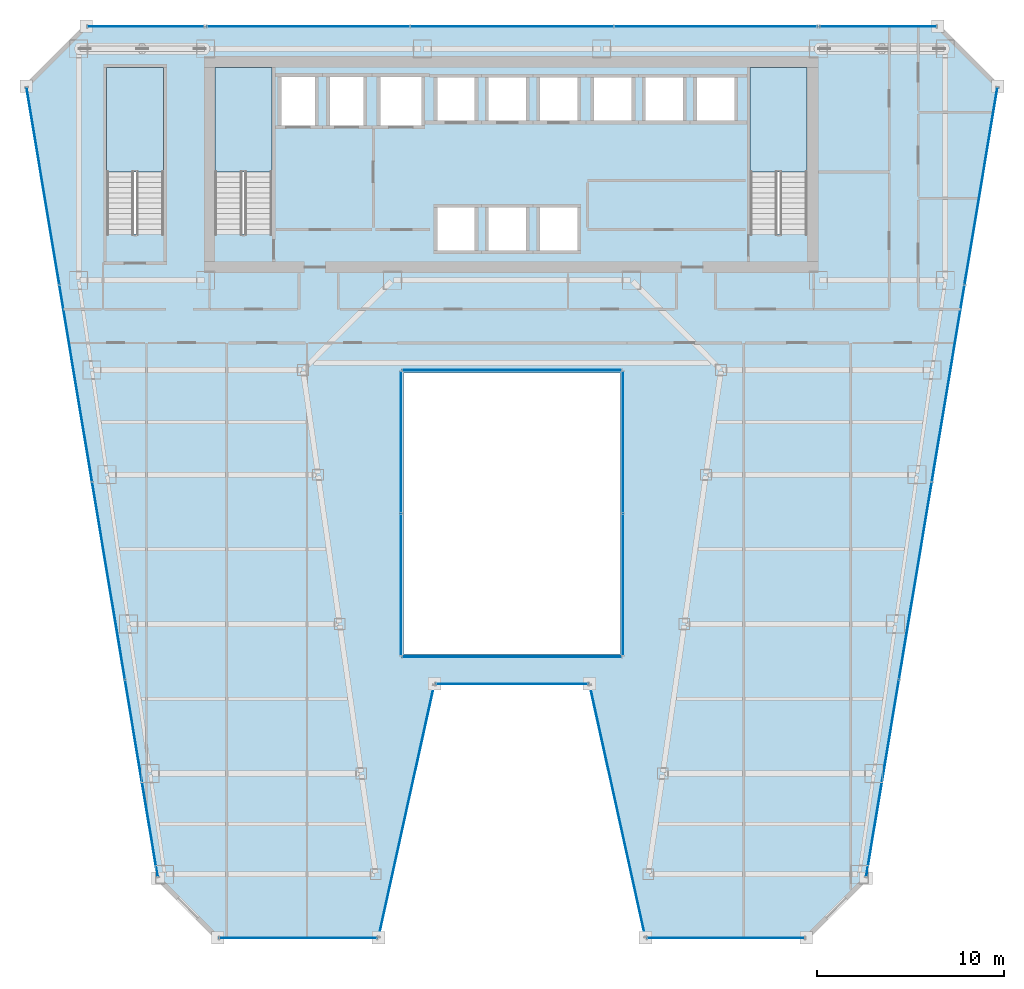
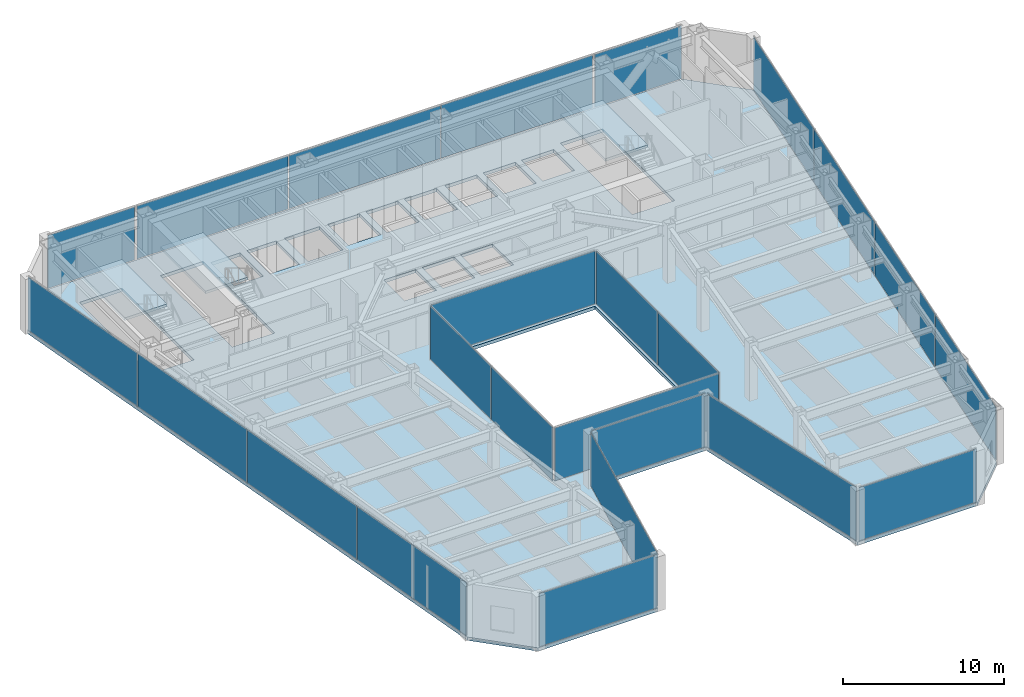
# One storey, part 30 of 37: 24 plates, 4 slabs, 17 elements without a shape of their own.
"""IFC4 building model written with IfcOpenShell, lengths in metres."""

from ifc_helpers import new_model, si_unit, direction, frame, origin, origin_2d, place, context, subcontext, project, spatial, polyline, rectangle, outline, extrude, material, layer, layer_set, type_object, element, aggregate, save


model = new_model("IFC4")

# Units and contexts
model_context = context("Model", 3, precision=1e-05, world=origin(), true_north=direction((0.0, 1.0)))
body_context = subcontext(model_context, "Body", "Model", "MODEL_VIEW")
ifc_project = project(units=[si_unit("LENGTHUNIT", "METRE"), si_unit("AREAUNIT", "SQUARE_METRE"), si_unit("VOLUMEUNIT", "CUBIC_METRE"), si_unit("PLANEANGLEUNIT", "RADIAN"), si_unit("MASSUNIT", "GRAM", prefix="KILO")], contexts=[model_context])

# Site, building, storey
site_placement = place(None, origin())
site = spatial("IfcSite", under=ifc_project, at=site_placement, CompositionType="ELEMENT")
building_placement = place(site_placement, origin())
building = spatial("IfcBuilding", under=site, at=building_placement, Name="Saevonmaru Cultural Tower", CompositionType="ELEMENT")
storey_placement = place(building_placement, frame((0.0, 0.0, 114.800048828125)))
storey = spatial("IfcBuildingStorey", under=building, at=storey_placement, Name="L24", CompositionType="ELEMENT", Elevation=114.800048828125)

# Curtain wall, plate
ifc_material_1 = material(Name="Satin Bronze Anodised Aluminium", Category="aluminium")
curtain_wall_type_1 = type_object("IfcCurtainWallType", Name="CW-ATR-GLZ", PredefinedType="NOTDEFINED", material=ifc_material_1)
curtain_wall_1_placement = place(storey_placement, origin())
curtain_wall_1 = element("IfcCurtainWall", 1, at=curtain_wall_1_placement, inside=storey, type_object=curtain_wall_type_1, Name="L24 Vertical Atrium Glazed Smoke Screen 1", PredefinedType="NOTDEFINED")
ifc_material_2 = material(Name="Fire-Rated Laminated Atrium Glass", Category="glass")
ifc_layer_1 = layer(ifc_material_2, 0.031982421875, Name="Fire-Rated Laminated Atrium Glass")
ifc_layer_set_1 = layer_set([ifc_layer_1], Name="Fire-Rated Laminated Atrium Glass")
plate_type_1 = type_object("IfcPlateType", Name="PN-GLZ-ATR-INT", PredefinedType="CURTAIN_PANEL", material=ifc_layer_set_1)
plate_1_placement = place(storey_placement, frame((30.0, 22.25, 0.06689453125), z_axis=(0.0, 0.0, 1.0), x_axis=(1.0, 0.0, 0.0)))
plate_1 = element("IfcPlate", 2, at=plate_1_placement, type_object=plate_type_1, Name="CW-ATR-L24-1 panel 1.1", PredefinedType="CURTAIN_PANEL", context=body_context, shape_type="SweptSolid", body=[
    extrude(rectangle(XDim=11.7109375, YDim=0.031982421875, at=origin_2d()), origin(), (0.0, 0.0, 1.0), 4.01611328125),
])
aggregate(curtain_wall_1, [plate_1])

# Curtain wall, plates
curtain_wall_2_placement = place(storey_placement, origin())
curtain_wall_2 = element("IfcCurtainWall", 3, at=curtain_wall_2_placement, inside=storey, type_object=curtain_wall_type_1, Name="L24 Vertical Atrium Glazed Smoke Screen 2", PredefinedType="NOTDEFINED")
plate_2_placement = place(storey_placement, frame((35.949951171875, 26.114990234375, 0.06689453125), z_axis=(0.0, 0.0, 1.0), x_axis=(0.0, 1.0, 0.0)))
plate_2 = element("IfcPlate", 4, at=plate_2_placement, type_object=plate_type_1, Name="CW-ATR-L24-2 panel 1.1", PredefinedType="CURTAIN_PANEL", context=body_context, shape_type="SweptSolid", body=[
    extrude(rectangle(XDim=7.541015625, YDim=0.031982421875, at=origin_2d()), origin(), (0.0, 0.0, 1.0), 4.01611328125),
])
plate_3_placement = place(storey_placement, frame((35.949951171875, 33.72509765625, 0.06689453125), z_axis=(0.0, 0.0, 1.0), x_axis=(0.0, 1.0, 0.0)))
plate_3 = element("IfcPlate", 5, at=plate_3_placement, type_object=plate_type_1, Name="CW-ATR-L24-2 panel 2.1", PredefinedType="CURTAIN_PANEL", context=body_context, shape_type="SweptSolid", body=[
    extrude(rectangle(XDim=7.541015625, YDim=0.031982421875, at=origin_2d()), origin(), (0.0, 0.0, 1.0), 4.01611328125),
])
aggregate(curtain_wall_2, [plate_2, plate_3])

# Curtain wall, plate
curtain_wall_3_placement = place(storey_placement, origin())
curtain_wall_3 = element("IfcCurtainWall", 6, at=curtain_wall_3_placement, inside=storey, type_object=curtain_wall_type_1, Name="L24 Vertical Atrium Glazed Smoke Screen 3", PredefinedType="NOTDEFINED")
plate_4_placement = place(storey_placement, frame((30.0, 37.590087890625, 0.06689453125), z_axis=(0.0, 0.0, 1.0), x_axis=(-1.0, 0.0, 0.0)))
plate_4 = element("IfcPlate", 7, at=plate_4_placement, type_object=plate_type_1, Name="CW-ATR-L24-3 panel 1.1", PredefinedType="CURTAIN_PANEL", context=body_context, shape_type="SweptSolid", body=[
    extrude(rectangle(XDim=11.7109375, YDim=0.031982421875, at=origin_2d()), origin(), (0.0, 0.0, 1.0), 4.01611328125),
])
aggregate(curtain_wall_3, [plate_4])

# Curtain wall, plates
curtain_wall_4_placement = place(storey_placement, origin())
curtain_wall_4 = element("IfcCurtainWall", 8, at=curtain_wall_4_placement, inside=storey, type_object=curtain_wall_type_1, Name="L24 Vertical Atrium Glazed Smoke Screen 4", PredefinedType="NOTDEFINED")
plate_5_placement = place(storey_placement, frame((24.050048828125, 33.72509765625, 0.06689453125), z_axis=(0.0, 0.0, 1.0), x_axis=(0.0, -1.0, 0.0)))
plate_5 = element("IfcPlate", 9, at=plate_5_placement, type_object=plate_type_1, Name="CW-ATR-L24-4 panel 1.1", PredefinedType="CURTAIN_PANEL", context=body_context, shape_type="SweptSolid", body=[
    extrude(rectangle(XDim=7.541015625, YDim=0.031982421875, at=origin_2d()), origin(), (0.0, 0.0, 1.0), 4.01611328125),
])
plate_6_placement = place(storey_placement, frame((24.050048828125, 26.114990234375, 0.06689453125), z_axis=(0.0, 0.0, 1.0), x_axis=(0.0, -1.0, 0.0)))
plate_6 = element("IfcPlate", 10, at=plate_6_placement, type_object=plate_type_1, Name="CW-ATR-L24-4 panel 2.1", PredefinedType="CURTAIN_PANEL", context=body_context, shape_type="SweptSolid", body=[
    extrude(rectangle(XDim=7.541015625, YDim=0.031982421875, at=origin_2d()), origin(), (0.0, 0.0, 1.0), 4.01611328125),
])
aggregate(curtain_wall_4, [plate_5, plate_6])

# Curtain wall, plate
curtain_wall_type_2 = type_object("IfcCurtainWallType", Name="CW-TYP-A", PredefinedType="NOTDEFINED", material=ifc_material_1)
curtain_wall_5_placement = place(storey_placement, origin())
curtain_wall_5 = element("IfcCurtainWall", 11, at=curtain_wall_5_placement, inside=storey, type_object=curtain_wall_type_2, Name="L24 Unitised Curtain Wall E2", PredefinedType="NOTDEFINED")
ifc_material_3 = material(Name="Triple Silver Low-E Insulating Glass", Category="glass")
ifc_layer_2 = layer(ifc_material_3, 0.035888671875, Name="Triple Silver Low-E Insulating Glass")
ifc_layer_set_2 = layer_set([ifc_layer_2], Name="Triple Silver Low-E Insulating Glass")
plate_type_2 = type_object("IfcPlateType", Name="PN-GLZ-IGU", PredefinedType="CURTAIN_PANEL", material=ifc_layer_set_2)
plate_7_placement = place(storey_placement, frame((18.548828125, 7.199951171875, 0.06689453125), z_axis=(0.0, 0.0, 1.0), x_axis=(1.0, 0.0, 0.0)))
plate_7 = element("IfcPlate", 12, at=plate_7_placement, type_object=plate_type_2, Name="CW-TW-L24-E2 panel 1.1", PredefinedType="CURTAIN_PANEL", context=body_context, shape_type="SweptSolid", body=[
    extrude(rectangle(XDim=8.410888671875, YDim=0.035888671875, at=origin_2d()), origin(), (0.0, 0.0, 1.0), 4.01611328125),
])
aggregate(curtain_wall_5, [plate_7])

curtain_wall_6_placement = place(storey_placement, origin())
curtain_wall_6 = element("IfcCurtainWall", 13, at=curtain_wall_6_placement, inside=storey, type_object=curtain_wall_type_2, Name="L24 Unitised Curtain Wall E3", PredefinedType="NOTDEFINED")
plate_8_placement = place(storey_placement, frame((24.348876953125, 14.0, 0.06689453125), z_axis=(0.0, 0.0, 1.0), x_axis=(0.215413319953, 0.976522965212, 0.0)))
plate_8 = element("IfcPlate", 14, at=plate_8_placement, type_object=plate_type_2, Name="CW-TW-L24-E3 panel 1.1", PredefinedType="CURTAIN_PANEL", context=body_context, shape_type="SweptSolid", body=[
    extrude(rectangle(XDim=13.738037109375, YDim=0.035888671875, at=origin_2d()), origin(), (0.0, 0.0, 1.0), 4.01611328125),
])
aggregate(curtain_wall_6, [plate_8])

curtain_wall_7_placement = place(storey_placement, origin())
curtain_wall_7 = element("IfcCurtainWall", 15, at=curtain_wall_7_placement, inside=storey, type_object=curtain_wall_type_2, Name="L24 Unitised Curtain Wall E4", PredefinedType="NOTDEFINED")
plate_9_placement = place(storey_placement, frame((30.0, 20.800048828125, 0.06689453125), z_axis=(0.0, 0.0, 1.0), x_axis=(1.0, 0.0, 0.0)))
plate_9 = element("IfcPlate", 16, at=plate_9_placement, type_object=plate_type_2, Name="CW-TW-L24-E4 panel 1.1", PredefinedType="CURTAIN_PANEL", context=body_context, shape_type="SweptSolid", body=[
    extrude(rectangle(XDim=8.11328125, YDim=0.035888671875, at=origin_2d()), origin(), (0.0, 0.0, 1.0), 4.01611328125),
])
aggregate(curtain_wall_7, [plate_9])

curtain_wall_8_placement = place(storey_placement, origin())
curtain_wall_8 = element("IfcCurtainWall", 17, at=curtain_wall_8_placement, inside=storey, type_object=curtain_wall_type_2, Name="L24 Unitised Curtain Wall E5", PredefinedType="NOTDEFINED")
plate_10_placement = place(storey_placement, frame((35.651123046875, 14.0, 0.06689453125), z_axis=(0.0, 0.0, 1.0), x_axis=(0.215413319953, -0.976522965212, 0.0)))
plate_10 = element("IfcPlate", 18, at=plate_10_placement, type_object=plate_type_2, Name="CW-TW-L24-E5 panel 1.1", PredefinedType="CURTAIN_PANEL", context=body_context, shape_type="SweptSolid", body=[
    extrude(rectangle(XDim=13.738037109375, YDim=0.035888671875, at=origin_2d()), origin(), (0.0, 0.0, 1.0), 4.01611328125),
])
aggregate(curtain_wall_8, [plate_10])

curtain_wall_9_placement = place(storey_placement, origin())
curtain_wall_9 = element("IfcCurtainWall", 19, at=curtain_wall_9_placement, inside=storey, type_object=curtain_wall_type_2, Name="L24 Unitised Curtain Wall E6", PredefinedType="NOTDEFINED")
plate_11_placement = place(storey_placement, frame((41.451171875, 7.199951171875, 0.06689453125), z_axis=(0.0, 0.0, 1.0), x_axis=(1.0, 0.0, 0.0)))
plate_11 = element("IfcPlate", 20, at=plate_11_placement, type_object=plate_type_2, Name="CW-TW-L24-E6 panel 1.1", PredefinedType="CURTAIN_PANEL", context=body_context, shape_type="SweptSolid", body=[
    extrude(rectangle(XDim=8.410888671875, YDim=0.035888671875, at=origin_2d()), origin(), (0.0, 0.0, 1.0), 4.01611328125),
])
aggregate(curtain_wall_9, [plate_11])

# Curtain wall, plates
curtain_wall_10_placement = place(storey_placement, origin())
curtain_wall_10 = element("IfcCurtainWall", 21, at=curtain_wall_10_placement, inside=storey, type_object=curtain_wall_type_2, Name="L24 Unitised Curtain Wall E8", PredefinedType="NOTDEFINED")
plate_12_placement = place(storey_placement, frame((49.839599609375, 15.744384765625, 0.06689453125), z_axis=(0.0, 0.0, 1.0), x_axis=(0.163998702345, 0.986460554523, 0.0)))
plate_12 = element("IfcPlate", 22, at=plate_12_placement, type_object=plate_type_2, Name="CW-TW-L24-E8 panel 1.1", PredefinedType="CURTAIN_PANEL", context=body_context, shape_type="SweptSolid", body=[
    extrude(rectangle(XDim=10.646484375, YDim=0.035888671875, at=origin_2d()), origin(), (0.0, 0.0, 1.0), 4.01611328125),
])
plate_13_placement = place(storey_placement, frame((51.596923828125, 26.314697265625, 0.06689453125), z_axis=(0.0, 0.0, 1.0), x_axis=(0.163998702345, 0.986460554523, 0.0)))
plate_13 = element("IfcPlate", 23, at=plate_13_placement, type_object=plate_type_2, Name="CW-TW-L24-E8 panel 2.1", PredefinedType="CURTAIN_PANEL", context=body_context, shape_type="SweptSolid", body=[
    extrude(rectangle(XDim=10.646484375, YDim=0.035888671875, at=origin_2d()), origin(), (0.0, 0.0, 1.0), 4.01611328125),
])
plate_14_placement = place(storey_placement, frame((53.354248046875, 36.88525390625, 0.06689453125), z_axis=(0.0, 0.0, 1.0), x_axis=(0.163998702345, 0.986460554523, 0.0)))
plate_14 = element("IfcPlate", 24, at=plate_14_placement, type_object=plate_type_2, Name="CW-TW-L24-E8 panel 3.1", PredefinedType="CURTAIN_PANEL", context=body_context, shape_type="SweptSolid", body=[
    extrude(rectangle(XDim=10.646484375, YDim=0.035888671875, at=origin_2d()), origin(), (0.0, 0.0, 1.0), 4.01611328125),
])
plate_15_placement = place(storey_placement, frame((55.111572265625, 47.45556640625, 0.06689453125), z_axis=(0.0, 0.0, 1.0), x_axis=(0.163998702345, 0.986460554523, 0.0)))
plate_15 = element("IfcPlate", 25, at=plate_15_placement, type_object=plate_type_2, Name="CW-TW-L24-E8 panel 4.1", PredefinedType="CURTAIN_PANEL", context=body_context, shape_type="SweptSolid", body=[
    extrude(rectangle(XDim=10.646484375, YDim=0.035888671875, at=origin_2d()), origin(), (0.0, 0.0, 1.0), 4.01611328125),
])
aggregate(curtain_wall_10, [plate_12, plate_13, plate_14, plate_15])

curtain_wall_11_placement = place(storey_placement, origin())
curtain_wall_11 = element("IfcCurtainWall", 26, at=curtain_wall_11_placement, inside=storey, type_object=curtain_wall_type_2, Name="L24 North Spine Unitised Curtain Wall E10B", PredefinedType="NOTDEFINED")
plate_16_placement = place(storey_placement, frame((40.893310546875, 56.0, 0.06689453125), z_axis=(0.0, 0.0, 1.0), x_axis=(-1.0, 0.0, 0.0)))
plate_16 = element("IfcPlate", 27, at=plate_16_placement, type_object=plate_type_2, Name="CW-TW-L24-E10B panel 1.1", PredefinedType="CURTAIN_PANEL", context=body_context, shape_type="SweptSolid", body=[
    extrude(rectangle(XDim=10.82421875, YDim=0.035888671875, at=origin_2d()), origin(), (0.0, 0.0, 1.0), 4.01611328125),
])
plate_17_placement = place(storey_placement, frame((30.0, 56.0, 0.06689453125), z_axis=(0.0, 0.0, 1.0), x_axis=(-1.0, 0.0, 0.0)))
plate_17 = element("IfcPlate", 28, at=plate_17_placement, type_object=plate_type_2, Name="CW-TW-L24-E10B panel 2.1", PredefinedType="CURTAIN_PANEL", context=body_context, shape_type="SweptSolid", body=[
    extrude(rectangle(XDim=10.82421875, YDim=0.035888671875, at=origin_2d()), origin(), (0.0, 0.0, 1.0), 4.01611328125),
])
plate_18_placement = place(storey_placement, frame((19.106689453125, 56.0, 0.06689453125), z_axis=(0.0, 0.0, 1.0), x_axis=(-1.0, 0.0, 0.0)))
plate_18 = element("IfcPlate", 29, at=plate_18_placement, type_object=plate_type_2, Name="CW-TW-L24-E10B panel 3.1", PredefinedType="CURTAIN_PANEL", context=body_context, shape_type="SweptSolid", body=[
    extrude(rectangle(XDim=10.82421875, YDim=0.035888671875, at=origin_2d()), origin(), (0.0, 0.0, 1.0), 4.01611328125),
])
aggregate(curtain_wall_11, [plate_16, plate_17, plate_18])

curtain_wall_12_placement = place(storey_placement, origin())
curtain_wall_12 = element("IfcCurtainWall", 30, at=curtain_wall_12_placement, inside=storey, type_object=curtain_wall_type_2, Name="L24 Unitised Curtain Wall E12", PredefinedType="NOTDEFINED")
plate_19_placement = place(storey_placement, frame((4.888427734375, 47.45556640625, 0.06689453125), z_axis=(0.0, 0.0, 1.0), x_axis=(0.163998702345, -0.986460554523, 0.0)))
plate_19 = element("IfcPlate", 31, at=plate_19_placement, type_object=plate_type_2, Name="CW-TW-L24-E12 panel 1.1", PredefinedType="CURTAIN_PANEL", context=body_context, shape_type="SweptSolid", body=[
    extrude(rectangle(XDim=10.646484375, YDim=0.035888671875, at=origin_2d()), origin(), (0.0, 0.0, 1.0), 4.01611328125),
])
plate_20_placement = place(storey_placement, frame((6.645751953125, 36.88525390625, 0.06689453125), z_axis=(0.0, 0.0, 1.0), x_axis=(0.163998702345, -0.986460554523, 0.0)))
plate_20 = element("IfcPlate", 32, at=plate_20_placement, type_object=plate_type_2, Name="CW-TW-L24-E12 panel 2.1", PredefinedType="CURTAIN_PANEL", context=body_context, shape_type="SweptSolid", body=[
    extrude(rectangle(XDim=10.646484375, YDim=0.035888671875, at=origin_2d()), origin(), (0.0, 0.0, 1.0), 4.01611328125),
])
plate_21_placement = place(storey_placement, frame((8.403076171875, 26.314697265625, 0.06689453125), z_axis=(0.0, 0.0, 1.0), x_axis=(0.163998702345, -0.986460554523, 0.0)))
plate_21 = element("IfcPlate", 33, at=plate_21_placement, type_object=plate_type_2, Name="CW-TW-L24-E12 panel 3.1", PredefinedType="CURTAIN_PANEL", context=body_context, shape_type="SweptSolid", body=[
    extrude(rectangle(XDim=10.646484375, YDim=0.035888671875, at=origin_2d()), origin(), (0.0, 0.0, 1.0), 4.01611328125),
])
plate_22_placement = place(storey_placement, frame((10.160400390625, 15.744384765625, 0.06689453125), z_axis=(0.0, 0.0, 1.0), x_axis=(0.163998702345, -0.986460554523, 0.0)))
plate_22 = element("IfcPlate", 34, at=plate_22_placement, type_object=plate_type_2, Name="CW-TW-L24-E12 panel 4.1", PredefinedType="CURTAIN_PANEL", context=body_context, shape_type="SweptSolid", body=[
    extrude(rectangle(XDim=10.646484375, YDim=0.035888671875, at=origin_2d()), origin(), (0.0, 0.0, 1.0), 4.01611328125),
])
aggregate(curtain_wall_12, [plate_19, plate_20, plate_21, plate_22])

# Curtain wall, plate
curtain_wall_13_placement = place(storey_placement, origin())
curtain_wall_13 = element("IfcCurtainWall", 35, at=curtain_wall_13_placement, inside=storey, type_object=curtain_wall_type_2, Name="L24 East Braced Bay Spandrel Curtain Wall E10A", PredefinedType="NOTDEFINED")
ifc_material_4 = material(Name="Insulated Satin Bronze Aluminium Spandrel Panel", Category="aluminium")
ifc_layer_3 = layer(ifc_material_4, 0.0400390625, Name="Insulated Satin Bronze Aluminium Spandrel Panel")
ifc_layer_set_3 = layer_set([ifc_layer_3], Name="Insulated Satin Bronze Aluminium Spandrel Panel")
plate_type_3 = type_object("IfcPlateType", Name="PN-SPANDREL-BRONZE", PredefinedType="CURTAIN_PANEL", material=ifc_layer_set_3)
plate_23_placement = place(storey_placement, frame((49.60009765625, 56.0, 0.06689453125), z_axis=(0.0, 0.0, 1.0), x_axis=(-1.0, 0.0, 0.0)))
plate_23 = element("IfcPlate", 36, at=plate_23_placement, type_object=plate_type_3, Name="CW-TW-L24-E10A panel 1.1", PredefinedType="CURTAIN_PANEL", context=body_context, shape_type="SweptSolid", body=[
    extrude(rectangle(XDim=6.2109375, YDim=0.035888671875, at=origin_2d()), origin(), (0.0, 0.0, 1.0), 4.01611328125),
])
aggregate(curtain_wall_13, [plate_23])

curtain_wall_14_placement = place(storey_placement, origin())
curtain_wall_14 = element("IfcCurtainWall", 37, at=curtain_wall_14_placement, inside=storey, type_object=curtain_wall_type_2, Name="L24 West Braced Bay Spandrel Curtain Wall E10C", PredefinedType="NOTDEFINED")
plate_24_placement = place(storey_placement, frame((10.39990234375, 56.0, 0.06689453125), z_axis=(0.0, 0.0, 1.0), x_axis=(-1.0, 0.0, 0.0)))
plate_24 = element("IfcPlate", 38, at=plate_24_placement, type_object=plate_type_3, Name="CW-TW-L24-E10C panel 1.1", PredefinedType="CURTAIN_PANEL", context=body_context, shape_type="SweptSolid", body=[
    extrude(rectangle(XDim=6.2109375, YDim=0.035888671875, at=origin_2d()), origin(), (0.0, 0.0, 1.0), 4.01611328125),
])
aggregate(curtain_wall_14, [plate_24])

# Slab
ifc_material_5 = material(Name="Concrete C40/50", Category="concrete")
ifc_layer_4 = layer(ifc_material_5, 0.25, Name="Concrete C40/50")
ifc_layer_set_4 = layer_set([ifc_layer_4], Name="Concrete C40/50")
slab_type_1 = type_object("IfcSlabType", Name="SL-FLR-250", PredefinedType="FLOOR", material=ifc_layer_set_4)
slab_1_placement = place(storey_placement, frame((0.0, 0.0, -0.25)))
element("IfcSlab", 39, at=slab_1_placement, inside=storey, type_object=slab_type_1, Name="L24 Tower Structural Floor Slab", PredefinedType="FLOOR", context=body_context, shape_type="SweptSolid", body=[
    extrude(outline(polyline([(11.048828125, 10.39990234375), (14.248779296875, 7.199951171875), (22.848876953125, 7.199951171875), (25.848876953125, 20.800048828125), (34.151123046875, 20.800048828125), (37.151123046875, 7.199951171875), (45.751220703125, 7.199951171875), (48.951171875, 10.39990234375), (56.0, 52.800048828125), (52.800048828125, 56.0), (7.199951171875, 56.0), (4.0, 52.800048828125), (11.048828125, 10.39990234375)]), holes=[polyline([(45.800048828125, 44.875), (42.75, 44.875), (42.75, 53.800048828125), (45.800048828125, 53.800048828125), (45.800048828125, 44.875)]), polyline([(39.75, 50.800048828125), (39.75, 53.39990234375), (42.050048828125, 53.39990234375), (42.050048828125, 50.800048828125), (39.75, 50.800048828125)]), polyline([(37.0, 50.800048828125), (37.0, 53.39990234375), (39.300048828125, 53.39990234375), (39.300048828125, 50.800048828125), (37.0, 50.800048828125)]), polyline([(34.25, 50.800048828125), (34.25, 53.39990234375), (36.550048828125, 53.39990234375), (36.550048828125, 50.800048828125), (34.25, 50.800048828125)]), polyline([(24.199951171875, 22.39990234375), (24.199951171875, 37.43994140625), (35.800048828125, 37.43994140625), (35.800048828125, 22.39990234375), (24.199951171875, 22.39990234375)]), polyline([(31.35009765625, 50.800048828125), (31.35009765625, 53.39990234375), (33.64990234375, 53.39990234375), (33.64990234375, 50.800048828125), (31.35009765625, 50.800048828125)]), polyline([(31.35009765625, 43.85009765625), (31.35009765625, 46.449951171875), (33.64990234375, 46.449951171875), (33.64990234375, 43.85009765625), (31.35009765625, 43.85009765625)]), polyline([(28.60009765625, 43.85009765625), (28.60009765625, 46.449951171875), (30.89990234375, 46.449951171875), (30.89990234375, 43.85009765625), (28.60009765625, 43.85009765625)]), polyline([(28.60009765625, 50.800048828125), (28.60009765625, 53.39990234375), (30.89990234375, 53.39990234375), (30.89990234375, 50.800048828125), (28.60009765625, 50.800048828125)]), polyline([(25.85009765625, 50.800048828125), (25.85009765625, 53.39990234375), (28.14990234375, 53.39990234375), (28.14990234375, 50.800048828125), (25.85009765625, 50.800048828125)]), polyline([(25.85009765625, 43.85009765625), (25.85009765625, 46.449951171875), (28.14990234375, 46.449951171875), (28.14990234375, 43.85009765625), (25.85009765625, 43.85009765625)]), polyline([(22.800048828125, 50.550048828125), (22.800048828125, 53.449951171875), (25.300048828125, 53.449951171875), (25.300048828125, 50.550048828125), (22.800048828125, 50.550048828125)]), polyline([(20.10009765625, 50.550048828125), (20.10009765625, 53.449951171875), (22.199951171875, 53.449951171875), (22.199951171875, 50.550048828125), (20.10009765625, 50.550048828125)]), polyline([(17.5, 50.550048828125), (17.5, 53.449951171875), (19.60009765625, 53.449951171875), (19.60009765625, 50.550048828125), (17.5, 50.550048828125)]), polyline([(17.14990234375, 44.875), (14.10009765625, 44.875), (14.10009765625, 53.800048828125), (17.14990234375, 53.800048828125), (17.14990234375, 44.875)]), polyline([(11.35009765625, 44.875), (8.300048828125, 44.875), (8.300048828125, 53.800048828125), (11.35009765625, 53.800048828125), (11.35009765625, 44.875)])]), origin(), (0.0, 0.0, 1.0), 0.25),
])

# Stair, slab
stair_type = type_object("IfcStairType", Name="STR-DOGLEG-RC", PredefinedType="HALF_TURN_STAIR", material=ifc_material_5)
stair_1_placement = place(storey_placement, origin())
stair_1 = element("IfcStair", 40, at=stair_1_placement, inside=storey, type_object=stair_type, Name="L24 Protected exit stair ST-1", PredefinedType="HALF_TURN_STAIR")
ifc_layer_5 = layer(ifc_material_5, 0.199951171875, Name="Concrete C40/50")
ifc_layer_set_5 = layer_set([ifc_layer_5], Name="Concrete C40/50")
slab_type_2 = type_object("IfcSlabType", Name="SL-STAIR-LANDING", PredefinedType="LANDING", material=ifc_layer_set_5)
slab_2_placement = place(storey_placement, frame((0.0, 0.0, 2.0)))
slab_2 = element("IfcSlab", 41, at=slab_2_placement, type_object=slab_type_2, Name="ST-1-L24 landing 1", PredefinedType="LANDING", context=body_context, shape_type="SweptSolid", body=[
    extrude(outline(polyline([(17.14990234375, 48.2099609375), (17.14990234375, 53.800048828125), (14.10009765625, 53.800048828125), (14.10009765625, 48.2099609375), (17.14990234375, 48.2099609375)])), origin(), (0.0, 0.0, 1.0), 0.199951171875),
])
aggregate(stair_1, [slab_2])

stair_2_placement = place(storey_placement, origin())
stair_2 = element("IfcStair", 42, at=stair_2_placement, inside=storey, type_object=stair_type, Name="L24 Protected exit stair ST-2", PredefinedType="HALF_TURN_STAIR")
slab_3_placement = place(storey_placement, frame((0.0, 0.0, 2.0)))
slab_3 = element("IfcSlab", 43, at=slab_3_placement, type_object=slab_type_2, Name="ST-2-L24 landing 1", PredefinedType="LANDING", context=body_context, shape_type="SweptSolid", body=[
    extrude(outline(polyline([(45.800048828125, 48.2099609375), (45.800048828125, 53.800048828125), (42.75, 53.800048828125), (42.75, 48.2099609375), (45.800048828125, 48.2099609375)])), origin(), (0.0, 0.0, 1.0), 0.199951171875),
])
aggregate(stair_2, [slab_3])

stair_3_placement = place(storey_placement, origin())
stair_3 = element("IfcStair", 44, at=stair_3_placement, inside=storey, type_object=stair_type, Name="L24 Protected exit stair ST-3", PredefinedType="HALF_TURN_STAIR")
slab_4_placement = place(storey_placement, frame((0.0, 0.0, 2.0)))
slab_4 = element("IfcSlab", 45, at=slab_4_placement, type_object=slab_type_2, Name="ST-3-L24 landing 1", PredefinedType="LANDING", context=body_context, shape_type="SweptSolid", body=[
    extrude(outline(polyline([(11.35009765625, 48.2099609375), (11.35009765625, 53.800048828125), (8.300048828125, 53.800048828125), (8.300048828125, 48.2099609375), (11.35009765625, 48.2099609375)])), origin(), (0.0, 0.0, 1.0), 0.199951171875),
])
aggregate(stair_3, [slab_4])

save(model, "model.ifc")
